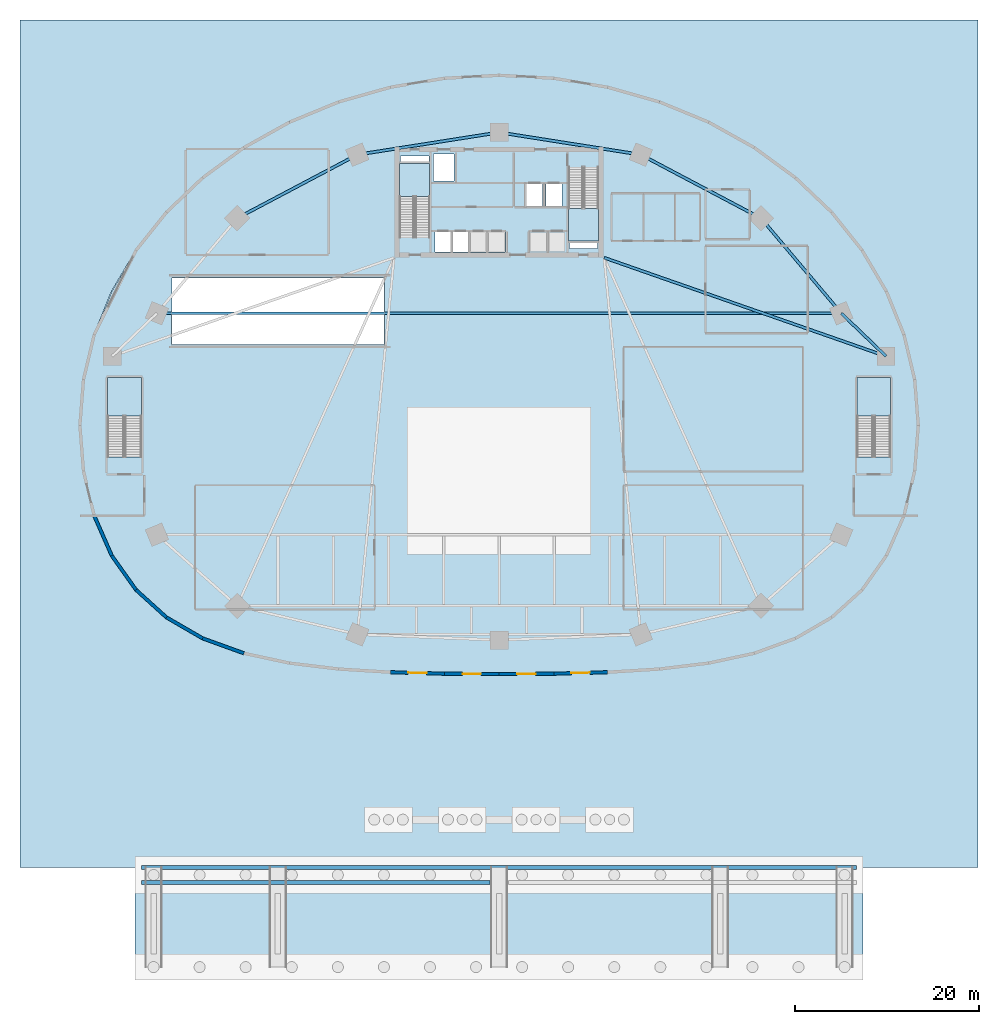
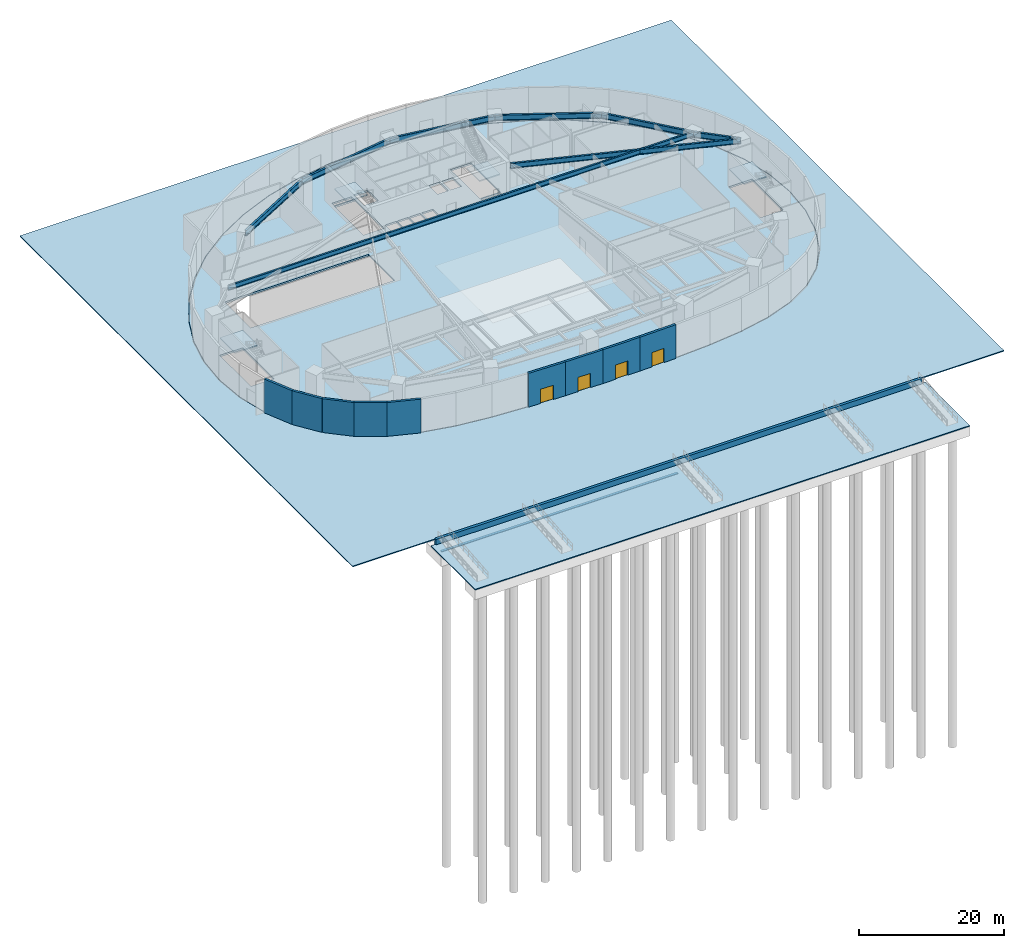
# One storey, part 2 of 14: 11 walls, 8 beams, 7 slabs, 4 doors, 4 openings, 4 elements without a shape of their own.
"""IFC4 building model written with IfcOpenShell, lengths in metres."""

from ifc_helpers import new_model, si_unit, direction, frame, frame_2d, origin, origin_2d, place, context, subcontext, project, spatial, polyline, rectangle, i_section, outline, extrude, source, transform, mapped, material, layer, layer_set, material_profile, profile_set, type_object, type_shapes, element, fill, aggregate, save


model = new_model("IFC4")

# Units and contexts
model_context = context("Model", 3, precision=1e-05, world=origin(), true_north=direction((0.0, 1.0)))
body_context = subcontext(model_context, "Body", "Model", "MODEL_VIEW")
ifc_project = project(units=[si_unit("LENGTHUNIT", "METRE"), si_unit("AREAUNIT", "SQUARE_METRE"), si_unit("VOLUMEUNIT", "CUBIC_METRE"), si_unit("PLANEANGLEUNIT", "RADIAN"), si_unit("MASSUNIT", "GRAM", prefix="KILO")], contexts=[model_context])

# Site, building, storey
site_placement = place(None, origin())
site = spatial("IfcSite", under=ifc_project, at=site_placement, CompositionType="ELEMENT")
building_placement = place(site_placement, origin())
building = spatial("IfcBuilding", under=site, at=building_placement, Name="Breltana Convention Tower", CompositionType="ELEMENT")
storey_placement = place(building_placement, origin())
storey = spatial("IfcBuildingStorey", under=building, at=storey_placement, Name="L00", CompositionType="ELEMENT", Elevation=0.0)

# Beams
ifc_material_1 = material(Name="Steel ASTM A992 Grade 50", Category="steel")
ifc_material_profile_1 = material_profile(ifc_material_1, i_section(OverallWidth=0.304931640625, OverallDepth=0.9189453125, WebThickness=0.017333984375, FlangeThickness=0.02783203125, at=origin_2d()), Name="W36X170")
ifc_profile_set_1 = profile_set([ifc_material_profile_1], Name="Steel ASTM A992 Grade 50")
beam_type_1 = type_object("IfcBeamType", Name="BM-PD-W36X170", PredefinedType="USERDEFINED", material=ifc_profile_set_1)
shared_shape_1 = source(origin(), body_context, "Body", "SweptSolid", [
    extrude(i_section(OverallWidth=0.304931640625, OverallDepth=0.9189453125, WebThickness=0.017333984375, FlangeThickness=0.02783203125, at=origin_2d()), origin(), (0.0, 0.0, 1.0), 6.739501953125),
])
type_shapes(beam_type_1, [shared_shape_1])
beam_1_placement = place(storey_placement, frame((90.0, 49.5, 5.240478515625), z_axis=(-0.721128840463, 0.692800978242, 0.0), x_axis=(-0.692800978242, -0.721128840463, 0.0)))
element("IfcBeam", 1, at=beam_1_placement, inside=storey, type_object=beam_type_1, Name="L00 Podium Ring Girder 01", ObjectType="GIRDER", PredefinedType="USERDEFINED", context=body_context, shape_type="MappedRepresentation", body=[
    mapped(shared_shape_1, transform((0.0, 0.0, 0.0), scale=1.0)),
])
shared_shape_2 = source(origin(), body_context, "Body", "SweptSolid", [
    extrude(i_section(OverallWidth=0.304931640625, OverallDepth=0.9189453125, WebThickness=0.017333984375, FlangeThickness=0.02783203125, at=origin_2d()), origin(), (0.0, 0.0, 1.0), 13.504638671875),
])
beam_2_placement = place(storey_placement, frame((85.139892578125, 54.169189453125, 5.240478515625), z_axis=(-0.645270162831, 0.763954460004, 0.0), x_axis=(-0.763954460004, -0.645270162831, 0.0)))
element("IfcBeam", 2, at=beam_2_placement, inside=storey, type_object=beam_type_1, Name="L00 Podium Ring Girder 02", ObjectType="GIRDER", PredefinedType="USERDEFINED", context=body_context, shape_type="MappedRepresentation", body=[
    mapped(shared_shape_2, transform((0.0, 0.0, 0.0), scale=1.0)),
])
shared_shape_3 = source(origin(), body_context, "Body", "SweptSolid", [
    extrude(i_section(OverallWidth=0.304931640625, OverallDepth=0.9189453125, WebThickness=0.017333984375, FlangeThickness=0.02783203125, at=origin_2d()), origin(), (0.0, 0.0, 1.0), 14.751708984375),
])
for number, where, z_axis, x_axis, name in (
    (3, (76.42578125, 64.486083984375, 5.240478515625), (-0.884103731281, 0.467290693611, 0.0), (-0.467290693611, -0.884103731281, 0.0), "L00 Podium Ring Girder 03"),
    (4, (32.6162109375, 71.37939453125, 5.240478515625), (-0.884103731281, -0.467290693611, 0.0), (0.467290693611, -0.884103731281, 0.0), "L00 Podium Ring Girder 06"),
):
    element("IfcBeam", number, at=place(storey_placement, frame(where, z_axis=z_axis, x_axis=x_axis)), inside=storey, type_object=beam_type_1, Name=name, ObjectType="GIRDER", PredefinedType="USERDEFINED", context=body_context, shape_type="MappedRepresentation", body=[
        mapped(shared_shape_3, transform((0.0, 0.0, 0.0), scale=1.0)),
    ])
shared_shape_4 = source(origin(), body_context, "Body", "SweptSolid", [
    extrude(i_section(OverallWidth=0.304931640625, OverallDepth=0.9189453125, WebThickness=0.017333984375, FlangeThickness=0.02783203125, at=origin_2d()), origin(), (0.0, 0.0, 1.0), 15.572998046875),
])
for number, where, z_axis, x_axis, name in (
    (5, (63.3837890625, 71.37939453125, 5.240478515625), (-0.987845575975, 0.155438470225, 0.0), (-0.155438470225, -0.987845575975, 0.0), "L00 Podium Ring Girder 04"),
    (6, (48.0, 73.800048828125, 5.240478515625), (-0.987845575975, -0.155438470225, 0.0), (0.155438470225, -0.987845575975, 0.0), "L00 Podium Ring Girder 05"),
):
    element("IfcBeam", number, at=place(storey_placement, frame(where, z_axis=z_axis, x_axis=x_axis)), inside=storey, type_object=beam_type_1, Name=name, ObjectType="GIRDER", PredefinedType="USERDEFINED", context=body_context, shape_type="MappedRepresentation", body=[
        mapped(shared_shape_4, transform((0.0, 0.0, 0.0), scale=1.0)),
    ])
ifc_material_profile_2 = material_profile(ifc_material_1, i_section(OverallWidth=0.2919921875, OverallDepth=0.845947265625, WebThickness=0.015380859375, FlangeThickness=0.0244140625, at=origin_2d()), Name="W33X141")
ifc_profile_set_2 = profile_set([ifc_material_profile_2], Name="Steel ASTM A992 Grade 50")
beam_type_2 = type_object("IfcBeamType", Name="BM-PD-W33X141", PredefinedType="USERDEFINED", material=ifc_profile_set_2)
shared_shape_5 = source(origin(), body_context, "Body", "SweptSolid", [
    extrude(i_section(OverallWidth=0.2919921875, OverallDepth=0.845947265625, WebThickness=0.015380859375, FlangeThickness=0.0244140625, at=origin_2d()), origin(), (0.0, 0.0, 1.0), 32.4169921875),
])
type_shapes(beam_type_2, [shared_shape_5])
beam_3_placement = place(storey_placement, frame((90.0, 49.5, 5.277099609375), z_axis=(-0.943955299763, 0.330073313143, 0.0), x_axis=(-0.330073313143, -0.943955299763, 0.0)))
element("IfcBeam", 7, at=beam_3_placement, inside=storey, type_object=beam_type_2, Name="L00 Long-Span Convention Girder 01", ObjectType="GIRDER", PredefinedType="USERDEFINED", context=body_context, shape_type="MappedRepresentation", body=[
    mapped(shared_shape_5, transform((0.0, 0.0, 0.0), scale=1.0)),
])
ifc_material_profile_3 = material_profile(ifc_material_1, i_section(OverallWidth=0.26708984375, OverallDepth=0.761962890625, WebThickness=0.014404296875, FlangeThickness=0.021484375, at=origin_2d()), Name="W30X116")
ifc_profile_set_3 = profile_set([ifc_material_profile_3], Name="Steel ASTM A992 Grade 50")
beam_type_3 = type_object("IfcBeamType", Name="BM-PD-W30X116", PredefinedType="BEAM", material=ifc_profile_set_3)
shared_shape_6 = source(origin(), body_context, "Body", "SweptSolid", [
    extrude(i_section(OverallWidth=0.26708984375, OverallDepth=0.761962890625, WebThickness=0.014404296875, FlangeThickness=0.021484375, at=origin_2d()), origin(), (0.0, 0.0, 1.0), 74.27978515625),
])
type_shapes(beam_type_3, [shared_shape_6])
beam_4_placement = place(storey_placement, frame((10.860107421875, 54.169189453125, 5.319091796875), z_axis=(1.0, 0.0, 0.0), x_axis=(0.0, 1.0, 0.0)))
element("IfcBeam", 8, at=beam_4_placement, inside=storey, type_object=beam_type_3, Name="L00 Long-Span Hall Secondary Beam 04", PredefinedType="BEAM", context=body_context, shape_type="MappedRepresentation", body=[
    mapped(shared_shape_6, transform((0.0, 0.0, 0.0), scale=1.0)),
])

# Slabs
ifc_material_2 = material(Name="Concrete C40/50", Category="concrete")
ifc_layer_1 = layer(ifc_material_2, 0.159912109375, Name="Concrete C40/50")
ifc_layer_set_1 = layer_set([ifc_layer_1], Name="Concrete C40/50")
slab_type_1 = type_object("IfcSlabType", Name="SL-PAVE-160", PredefinedType="USERDEFINED", material=ifc_layer_set_1)
slab_1_placement = place(storey_placement, frame((0.0, 0.0, -0.159912109375)))
element("IfcSlab", 9, at=slab_1_placement, inside=storey, type_object=slab_type_1, Name="L00 Arrival Plaza, Drop-Off and Fire-Access Paving 1", ObjectType="PAVING", PredefinedType="USERDEFINED", context=body_context, shape_type="SweptSolid", body=[
    extrude(outline(polyline([(-4.0, 86.0), (100.0, 86.0), (100.0, -6.0), (-4.0, -6.0), (-4.0, 86.0)]), holes=[polyline([(93.5400390625, 42.0), (93.539794921875, 42.003173828125), (93.150634765625, 46.963134765625), (93.150146484375, 46.96630859375), (93.149658203125, 46.96923828125), (91.988525390625, 51.844482421875), (91.98779296875, 51.847412109375), (91.98681640625, 51.85009765625), (90.073486328125, 56.55712890625), (90.072265625, 56.559814453125), (90.07080078125, 56.562255859375), (87.438720703125, 61.020263671875), (87.435302734375, 61.02490234375), (84.12890625, 65.157958984375), (84.125244140625, 65.161865234375), (80.200927734375, 68.899169921875), (80.197021484375, 68.90234375), (75.72216796875, 72.1796875), (75.718017578125, 72.182373046875), (70.76953125, 74.94384765625), (70.76513671875, 74.946044921875), (65.42724609375, 77.144287109375), (65.423095703125, 77.14599609375), (59.787109375, 78.74365234375), (59.782958984375, 78.74462890625), (53.945556640625, 79.71435546875), (53.941162109375, 79.71484375), (48.002197265625, 80.039794921875), (47.997802734375, 80.039794921875), (42.058837890625, 79.71484375), (42.054443359375, 79.71435546875), (36.217041015625, 78.74462890625), (36.212890625, 78.74365234375), (30.576904296875, 77.14599609375), (30.57275390625, 77.144287109375), (25.23486328125, 74.946044921875), (25.23046875, 74.94384765625), (20.281982421875, 72.182373046875), (20.27783203125, 72.1796875), (15.802978515625, 68.90234375), (15.799072265625, 68.899169921875), (11.874755859375, 65.161865234375), (11.87109375, 65.157958984375), (8.564697265625, 61.02490234375), (8.561279296875, 61.020263671875), (5.92919921875, 56.562255859375), (5.927734375, 56.559814453125), (5.926513671875, 56.55712890625), (4.01318359375, 51.85009765625), (4.01220703125, 51.847412109375), (4.011474609375, 51.844482421875), (2.850341796875, 46.96923828125), (2.849853515625, 46.96630859375), (2.849365234375, 46.963134765625), (2.460205078125, 42.003173828125), (2.4599609375, 42.0), (2.460205078125, 41.996826171875), (2.849365234375, 37.036865234375), (2.849853515625, 37.03369140625), (2.850341796875, 37.03076171875), (4.011474609375, 32.19921875), (4.012451171875, 32.19580078125), (4.013916015625, 32.1923828125), (5.927001953125, 27.838134765625), (5.9287109375, 27.834716796875), (5.930908203125, 27.831298828125), (8.563232421875, 24.121826171875), (8.56591796875, 24.118408203125), (8.569091796875, 24.115234375), (11.87548828125, 21.124267578125), (11.87890625, 21.12158203125), (11.88232421875, 21.119384765625), (15.806396484375, 18.845947265625), (15.809814453125, 18.84423828125), (15.81298828125, 18.843017578125), (20.287841796875, 17.22509765625), (20.29296875, 17.2236328125), (25.24169921875, 16.156982421875), (25.2451171875, 16.15625), (30.5830078125, 15.51318359375), (30.58544921875, 15.512939453125), (36.22119140625, 15.165283203125), (36.22265625, 15.165283203125), (42.06005859375, 15.0048828125), (42.060791015625, 15.0048828125), (47.999755859375, 14.9599609375), (48.000244140625, 14.9599609375), (53.939208984375, 15.0048828125), (53.93994140625, 15.0048828125), (59.77734375, 15.165283203125), (59.77880859375, 15.165283203125), (65.41455078125, 15.512939453125), (65.4169921875, 15.51318359375), (70.7548828125, 16.15625), (70.75830078125, 16.156982421875), (75.70703125, 17.2236328125), (75.712158203125, 17.22509765625), (80.18701171875, 18.843017578125), (80.190185546875, 18.84423828125), (80.193603515625, 18.845947265625), (84.11767578125, 21.119384765625), (84.12109375, 21.12158203125), (84.12451171875, 21.124267578125), (87.430908203125, 24.115234375), (87.43408203125, 24.118408203125), (87.436767578125, 24.121826171875), (90.069091796875, 27.831298828125), (90.0712890625, 27.834716796875), (90.072998046875, 27.838134765625), (91.986083984375, 32.1923828125), (91.987548828125, 32.19580078125), (91.988525390625, 32.19921875), (93.149658203125, 37.03076171875), (93.150146484375, 37.03369140625), (93.150634765625, 37.036865234375), (93.539794921875, 41.996826171875), (93.5400390625, 42.0)])]), origin(), (0.0, 0.0, 1.0), 0.159912109375),
])
slab_2_placement = place(storey_placement, frame((0.0, 0.0, -1.06005859375)))
element("IfcSlab", 10, at=slab_2_placement, inside=storey, type_object=slab_type_1, Name="L00 Sudirman Street Apron Slab", ObjectType="PAVING", PredefinedType="USERDEFINED", context=body_context, shape_type="SweptSolid", body=[
    extrude(outline(polyline([(8.5, -18.199951171875), (87.5, -18.199951171875), (87.5, -6.02001953125), (8.5, -6.02001953125), (8.5, -18.199951171875)])), origin(), (0.0, 0.0, 1.0), 0.16015625),
])
ifc_layer_2 = layer(ifc_material_2, 0.300048828125, Name="Concrete C40/50")
ifc_layer_set_2 = layer_set([ifc_layer_2], Name="Concrete C40/50")
slab_type_2 = type_object("IfcSlabType", Name="SL-POD-300", PredefinedType="FLOOR", material=ifc_layer_set_2)
slab_3_placement = place(storey_placement, frame((0.0, 0.0, -0.300048828125)))
element("IfcSlab", 11, at=slab_3_placement, inside=storey, type_object=slab_type_2, Name="L00 Suspended Structural Floor Slab", PredefinedType="FLOOR", context=body_context, shape_type="SweptSolid", body=[
    extrude(outline(polyline([(93.5, 42.0), (93.110595703125, 46.9599609375), (91.94970703125, 51.835205078125), (90.03662109375, 56.5419921875), (87.404296875, 61.0), (84.09765625, 65.1328125), (80.17333984375, 68.8701171875), (75.698486328125, 72.1474609375), (70.75, 74.908935546875), (65.412109375, 77.107421875), (59.7763671875, 78.705078125), (53.93896484375, 79.6748046875), (48.0, 80.0), (42.06103515625, 79.6748046875), (36.2236328125, 78.705078125), (30.587890625, 77.107421875), (25.25, 74.908935546875), (20.301513671875, 72.1474609375), (15.82666015625, 68.8701171875), (11.90234375, 65.1328125), (8.595703125, 61.0), (5.96337890625, 56.5419921875), (4.05029296875, 51.835205078125), (2.889404296875, 46.9599609375), (2.5, 42.0), (2.889404296875, 37.0400390625), (4.05029296875, 32.20849609375), (5.96337890625, 27.854248046875), (8.595703125, 24.14501953125), (11.90234375, 21.154052734375), (15.82666015625, 18.880615234375), (20.301513671875, 17.2626953125), (25.25, 16.196044921875), (30.587890625, 15.552734375), (36.2236328125, 15.205078125), (42.06103515625, 15.044921875), (48.0, 15.0), (53.93896484375, 15.044921875), (59.7763671875, 15.205078125), (65.412109375, 15.552734375), (70.75, 16.196044921875), (75.698486328125, 17.2626953125), (80.17333984375, 18.880615234375), (84.09765625, 21.154052734375), (87.404296875, 24.14501953125), (90.03662109375, 27.854248046875), (91.94970703125, 32.20849609375), (93.110595703125, 37.0400390625), (93.5, 42.0)]), holes=[polyline([(37.199951171875, 62.385009765625), (40.469970703125, 62.385009765625), (40.469970703125, 70.39990234375), (37.199951171875, 70.39990234375), (37.199951171875, 62.385009765625)]), polyline([(55.530029296875, 62.0), (58.800048828125, 62.0), (58.800048828125, 70.014892578125), (55.530029296875, 70.014892578125), (55.530029296875, 62.0)]), polyline([(5.5, 38.5849609375), (9.169921875, 38.5849609375), (9.169921875, 47.199951171875), (5.5, 47.199951171875), (5.5, 38.5849609375)]), polyline([(86.830078125, 38.5849609375), (90.5, 38.5849609375), (90.5, 47.199951171875), (86.830078125, 47.199951171875), (86.830078125, 38.5849609375)]), polyline([(41.0400390625, 60.800048828125), (42.800048828125, 60.800048828125), (42.800048828125, 62.97998046875), (41.0400390625, 62.97998046875), (41.0400390625, 60.800048828125)]), polyline([(42.93994140625, 60.800048828125), (44.699951171875, 60.800048828125), (44.699951171875, 62.97998046875), (42.93994140625, 62.97998046875), (42.93994140625, 60.800048828125)]), polyline([(44.8701171875, 60.800048828125), (46.6298828125, 60.800048828125), (46.6298828125, 62.97998046875), (44.8701171875, 62.97998046875), (44.8701171875, 60.800048828125)]), polyline([(46.8701171875, 60.800048828125), (48.6298828125, 60.800048828125), (48.6298828125, 62.97998046875), (46.8701171875, 62.97998046875), (46.8701171875, 60.800048828125)]), polyline([(50.969970703125, 65.800048828125), (52.72998046875, 65.800048828125), (52.72998046875, 68.179931640625), (50.969970703125, 68.179931640625), (50.969970703125, 65.800048828125)]), polyline([(53.070068359375, 65.800048828125), (54.830078125, 65.800048828125), (54.830078125, 68.179931640625), (53.070068359375, 68.179931640625), (53.070068359375, 65.800048828125)]), polyline([(40.8798828125, 68.550048828125), (43.1201171875, 68.550048828125), (43.1201171875, 71.449951171875), (40.8798828125, 71.449951171875), (40.8798828125, 68.550048828125)]), polyline([(37.300048828125, 70.60009765625), (40.3798828125, 70.60009765625), (40.3798828125, 71.219970703125), (37.300048828125, 71.219970703125), (37.300048828125, 70.60009765625)]), polyline([(55.6201171875, 61.179931640625), (58.699951171875, 61.179931640625), (58.699951171875, 61.800048828125), (55.6201171875, 61.800048828125), (55.6201171875, 61.179931640625)]), polyline([(12.5, 50.800048828125), (35.5, 50.800048828125), (35.5, 58.0), (12.5, 58.0), (12.5, 50.800048828125)])]), origin(), (0.0, 0.0, 1.0), 0.300048828125),
])

# Stair, slab
stair_type_1 = type_object("IfcStairType", Name="ST-DOG-1560-R176", PredefinedType="HALF_TURN_STAIR", material=ifc_material_2)
stair_1_placement = place(storey_placement, origin())
stair_1 = element("IfcStair", 12, at=stair_1_placement, inside=storey, type_object=stair_type_1, Name="L00 Protected Core Exit Stair ST-1", PredefinedType="HALF_TURN_STAIR")
ifc_layer_3 = layer(ifc_material_2, 0.199951171875, Name="Concrete C40/50")
ifc_layer_set_3 = layer_set([ifc_layer_3], Name="Concrete C40/50")
slab_type_3 = type_object("IfcSlabType", Name="SL-STAIR-LANDING-200", PredefinedType="LANDING", material=ifc_layer_set_3)
slab_4_placement = place(storey_placement, frame((0.0, 0.0, 2.800048828125)))
slab_4 = element("IfcSlab", 13, at=slab_4_placement, type_object=slab_type_3, Name="ST-1 landing 1", PredefinedType="LANDING", context=body_context, shape_type="SweptSolid", body=[
    extrude(outline(polyline([(40.469970703125, 66.840087890625), (40.469970703125, 70.39990234375), (37.199951171875, 70.39990234375), (37.199951171875, 66.840087890625), (40.469970703125, 66.840087890625)])), origin(), (0.0, 0.0, 1.0), 0.199951171875),
])
aggregate(stair_1, [slab_4])

stair_2_placement = place(storey_placement, origin())
stair_2 = element("IfcStair", 14, at=stair_2_placement, inside=storey, type_object=stair_type_1, Name="L00 Protected Core Exit Stair ST-2", PredefinedType="HALF_TURN_STAIR")
slab_5_placement = place(storey_placement, frame((0.0, 0.0, 2.800048828125)))
slab_5 = element("IfcSlab", 15, at=slab_5_placement, type_object=slab_type_3, Name="ST-2 landing 1", PredefinedType="LANDING", context=body_context, shape_type="SweptSolid", body=[
    extrude(outline(polyline([(55.530029296875, 65.56005859375), (55.530029296875, 62.0), (58.800048828125, 62.0), (58.800048828125, 65.56005859375), (55.530029296875, 65.56005859375)])), origin(), (0.0, 0.0, 1.0), 0.199951171875),
])
aggregate(stair_2, [slab_5])

stair_type_2 = type_object("IfcStairType", Name="ST-DOG-1760-R176", PredefinedType="HALF_TURN_STAIR", material=ifc_material_2)
stair_3_placement = place(storey_placement, origin())
stair_3 = element("IfcStair", 16, at=stair_3_placement, inside=storey, type_object=stair_type_2, Name="L00 Protected Podium Exit Stair ST-3", PredefinedType="HALF_TURN_STAIR")
slab_6_placement = place(storey_placement, frame((0.0, 0.0, 2.800048828125)))
slab_6 = element("IfcSlab", 17, at=slab_6_placement, type_object=slab_type_3, Name="ST-3 landing 1", PredefinedType="LANDING", context=body_context, shape_type="SweptSolid", body=[
    extrude(outline(polyline([(9.169921875, 43.0400390625), (9.169921875, 47.199951171875), (5.5, 47.199951171875), (5.5, 43.0400390625), (9.169921875, 43.0400390625)])), origin(), (0.0, 0.0, 1.0), 0.199951171875),
])
aggregate(stair_3, [slab_6])

stair_4_placement = place(storey_placement, origin())
stair_4 = element("IfcStair", 18, at=stair_4_placement, inside=storey, type_object=stair_type_2, Name="L00 Protected Podium Exit Stair ST-4", PredefinedType="HALF_TURN_STAIR")
slab_7_placement = place(storey_placement, frame((0.0, 0.0, 2.800048828125)))
slab_7 = element("IfcSlab", 19, at=slab_7_placement, type_object=slab_type_3, Name="ST-4 landing 1", PredefinedType="LANDING", context=body_context, shape_type="SweptSolid", body=[
    extrude(outline(polyline([(90.5, 43.0400390625), (90.5, 47.199951171875), (86.830078125, 47.199951171875), (86.830078125, 43.0400390625), (90.5, 43.0400390625)])), origin(), (0.0, 0.0, 1.0), 0.199951171875),
])
aggregate(stair_4, [slab_7])

# Walls
ifc_layer_4 = layer(ifc_material_2, 0.419921875, Name="Concrete C40/50")
ifc_layer_set_4 = layer_set([ifc_layer_4], Name="Concrete C40/50")
wall_type_1 = type_object("IfcWallType", Name="SW-BASE-420", PredefinedType="USERDEFINED", material=ifc_layer_set_4)
shared_shape_7 = source(origin(), body_context, "Body", "SweptSolid", [
    extrude(rectangle(XDim=77.60009765625, YDim=0.419921875, at=frame_2d((38.800048828125, 0.0))), origin(), (0.0, 0.0, 1.0), 1.199951171875),
])
type_shapes(wall_type_1, [shared_shape_7])
wall_1_placement = place(storey_placement, frame((9.199951171875, -6.0, -1.199951171875), z_axis=(0.0, 0.0, 1.0), x_axis=(1.0, 0.0, 0.0)))
element("IfcWall", 20, at=wall_1_placement, inside=storey, type_object=wall_type_1, Name="L00 South Plaza Threshold Retaining Wall", ObjectType="RETAININGWALL", PredefinedType="USERDEFINED", context=body_context, shape_type="MappedRepresentation", body=[
    mapped(shared_shape_7, transform((0.0, 0.0, 0.0), scale=1.0)),
])
shared_shape_8 = source(origin(), body_context, "Body", "SweptSolid", [
    extrude(rectangle(XDim=37.800048828125, YDim=0.419921875, at=frame_2d((18.89990234375, 0.0))), origin(), (0.0, 0.0, 1.0), 0.139892578125),
])
wall_2_placement = place(storey_placement, frame((9.199951171875, -7.60009765625, -1.199951171875), z_axis=(0.0, 0.0, 1.0), x_axis=(1.0, 0.0, 0.0)))
element("IfcWall", 21, at=wall_2_placement, inside=storey, type_object=wall_type_1, Name="L00 Street Apron North-West Bearing Wall", ObjectType="RETAININGWALL", PredefinedType="USERDEFINED", context=body_context, shape_type="MappedRepresentation", body=[
    mapped(shared_shape_8, transform((0.0, 0.0, 0.0), scale=1.0)),
])
ifc_material_3 = material(Name="Limestone Buff Insulated Wall", Category="masonry")
ifc_layer_5 = layer(ifc_material_3, 0.35009765625, Name="Limestone Buff Insulated Wall")
ifc_layer_set_5 = layer_set([ifc_layer_5], Name="Limestone Buff Insulated Wall")
wall_type_2 = type_object("IfcWallType", Name="WL-EXT-POD-350", PredefinedType="SOLIDWALL", material=ifc_layer_set_5)
shared_shape_9 = source(origin(), body_context, "Body", "SweptSolid", [
    extrude(rectangle(XDim=4.756103515625, YDim=0.35009765625, at=frame_2d((2.3779296875, 0.0))), origin(), (0.0, 0.0, 1.0), 5.699951171875),
])
wall_3_placement = place(storey_placement, frame((5.96337890625, 27.854248046875, 0.0), z_axis=(0.0, 0.0, 1.0), x_axis=(-0.402248274654, 0.915530625123, 0.0)))
element("IfcWall", 22, at=wall_3_placement, inside=storey, type_object=wall_type_2, Name="L00 limestone facade wall 27", PredefinedType="SOLIDWALL", context=body_context, shape_type="MappedRepresentation", body=[
    mapped(shared_shape_9, transform((0.0, 0.0, 0.0), scale=1.0)),
])
shared_shape_10 = source(origin(), body_context, "Body", "SweptSolid", [
    extrude(rectangle(XDim=4.54833984375, YDim=0.35009765625, at=frame_2d((2.274169921875, 0.0))), origin(), (0.0, 0.0, 1.0), 5.699951171875),
])
wall_4_placement = place(storey_placement, frame((8.595703125, 24.14501953125, 0.0), z_axis=(0.0, 0.0, 1.0), x_axis=(-0.578742399763, 0.815510413616, 0.0)))
element("IfcWall", 23, at=wall_4_placement, inside=storey, type_object=wall_type_2, Name="L00 limestone facade wall 28", PredefinedType="SOLIDWALL", context=body_context, shape_type="MappedRepresentation", body=[
    mapped(shared_shape_10, transform((0.0, 0.0, 0.0), scale=1.0)),
])
shared_shape_11 = source(origin(), body_context, "Body", "SweptSolid", [
    extrude(rectangle(XDim=4.458740234375, YDim=0.35009765625, at=frame_2d((2.2294921875, 0.0))), origin(), (0.0, 0.0, 1.0), 5.699951171875),
])
wall_5_placement = place(storey_placement, frame((11.90234375, 21.154052734375, 0.0), z_axis=(0.0, 0.0, 1.0), x_axis=(-0.741620092595, 0.670820123625, 0.0)))
element("IfcWall", 24, at=wall_5_placement, inside=storey, type_object=wall_type_2, Name="L00 limestone facade wall 29", PredefinedType="SOLIDWALL", context=body_context, shape_type="MappedRepresentation", body=[
    mapped(shared_shape_11, transform((0.0, 0.0, 0.0), scale=1.0)),
])
shared_shape_12 = source(origin(), body_context, "Body", "SweptSolid", [
    extrude(rectangle(XDim=4.535400390625, YDim=0.35009765625, at=frame_2d((2.267578125, 0.0))), origin(), (0.0, 0.0, 1.0), 5.699951171875),
])
wall_6_placement = place(storey_placement, frame((15.82666015625, 18.880615234375, 0.0), z_axis=(0.0, 0.0, 1.0), x_axis=(-0.86528620064, 0.501278157295, 0.0)))
element("IfcWall", 25, at=wall_6_placement, inside=storey, type_object=wall_type_2, Name="L00 limestone facade wall 30", PredefinedType="SOLIDWALL", context=body_context, shape_type="MappedRepresentation", body=[
    mapped(shared_shape_12, transform((0.0, 0.0, 0.0), scale=1.0)),
])
shared_shape_13 = source(origin(), body_context, "Body", "SweptSolid", [
    extrude(rectangle(XDim=4.75830078125, YDim=0.35009765625, at=frame_2d((2.379150390625, 0.0))), origin(), (0.0, 0.0, 1.0), 5.699951171875),
])
wall_7_placement = place(storey_placement, frame((20.301513671875, 17.2626953125, 0.0), z_axis=(0.0, 0.0, 1.0), x_axis=(-0.940419515454, 0.340016374538, 0.0)))
element("IfcWall", 26, at=wall_7_placement, inside=storey, type_object=wall_type_2, Name="L00 limestone facade wall 31", PredefinedType="SOLIDWALL", context=body_context, shape_type="MappedRepresentation", body=[
    mapped(shared_shape_13, transform((0.0, 0.0, 0.0), scale=1.0)),
])

# Wall, opening, door
shared_shape_14 = source(origin(), body_context, "Body", "SweptSolid", [
    extrude(rectangle(XDim=5.839599609375, YDim=0.35009765625, at=frame_2d((2.919921875, 0.0))), origin(), (0.0, 0.0, 1.0), 5.699951171875),
])
wall_8_placement = place(storey_placement, frame((42.06103515625, 15.044921875, 0.0), z_axis=(0.0, 0.0, 1.0), x_axis=(-0.999623839291, 0.027425898728, 0.0)))
wall_8 = element("IfcWall", 27, at=wall_8_placement, inside=storey, type_object=wall_type_2, Name="L00 limestone facade wall 35", PredefinedType="SOLIDWALL", context=body_context, shape_type="MappedRepresentation", body=[
    mapped(shared_shape_14, transform((0.0, 0.0, 0.0), scale=1.0)),
])
opening_1_placement = place(wall_8_placement, frame((1.919921875, 0.0, 0.0)))
opening_1 = element("IfcOpeningElement", 28, at=opening_1_placement, cuts=wall_8, Name="Opening ED-01", PredefinedType="OPENING", context=body_context, shape_type="SweptSolid", body=[
    extrude(rectangle(XDim=2.0, YDim=2.39990234375, at=frame_2d((1.0, 1.199951171875))), frame((0.0, 0.18505859375, 0.0), z_axis=(0.0, -1.0, 0.0), x_axis=(1.0, 0.0, 0.0)), (0.0, 0.0, 1.0), 0.3701171875),
])
ifc_material_4 = material(Name="Aluminium Bronze Glazed Door", Category="aluminium")
door_type = type_object("IfcDoorType", Name="DR-EXT-DBL-2000", OperationType="DOUBLE_DOOR_SINGLE_SWING", PredefinedType="DOOR", material=ifc_material_4)
shared_shape_15 = source(origin(), body_context, "Body", "SweptSolid", [
    extrude(rectangle(XDim=2.0, YDim=2.39990234375, at=frame_2d((1.0, 1.199951171875))), frame((0.0, 0.02490234375, 0.0), z_axis=(0.0, -1.0, 0.0), x_axis=(1.0, 0.0, 0.0)), (0.0, 0.0, 1.0), 0.050048828125),
])
type_shapes(door_type, [shared_shape_15])
door_1_placement = place(opening_1_placement, origin())
door_1 = element("IfcDoor", 29, at=door_1_placement, inside=storey, type_object=door_type, Name="Ground arrival concourse exterior double exit door 5", OperationType="DOUBLE_DOOR_SINGLE_SWING", OverallHeight=2.39990234375, OverallWidth=2.0, PredefinedType="DOOR", context=body_context, shape_type="MappedRepresentation", body=[
    mapped(shared_shape_15, transform((0.0, 0.0, 0.0), scale=1.0)),
])
fill(opening_1, door_1)

wall_9_placement = place(storey_placement, frame((59.7763671875, 15.205078125, 0.0), z_axis=(0.0, 0.0, 1.0), x_axis=(-0.999623839291, -0.027425898728, 0.0)))
wall_9 = element("IfcWall", 30, at=wall_9_placement, inside=storey, type_object=wall_type_2, Name="L00 limestone facade wall 38", PredefinedType="SOLIDWALL", context=body_context, shape_type="MappedRepresentation", body=[
    mapped(shared_shape_14, transform((0.0, 0.0, 0.0), scale=1.0)),
])
opening_2_placement = place(wall_9_placement, frame((1.919921875, 0.0, 0.0)))
opening_2 = element("IfcOpeningElement", 31, at=opening_2_placement, cuts=wall_9, Name="Opening ED-01", PredefinedType="OPENING", context=body_context, shape_type="SweptSolid", body=[
    extrude(rectangle(XDim=2.0, YDim=2.39990234375, at=frame_2d((1.0, 1.199951171875))), frame((0.0, 0.18505859375, 0.0), z_axis=(0.0, -1.0, 0.0), x_axis=(1.0, 0.0, 0.0)), (0.0, 0.0, 1.0), 0.3701171875),
])
door_2_placement = place(opening_2_placement, origin())
door_2 = element("IfcDoor", 32, at=door_2_placement, inside=storey, type_object=door_type, Name="Ground arrival concourse exterior double exit door 8", OperationType="DOUBLE_DOOR_SINGLE_SWING", OverallHeight=2.39990234375, OverallWidth=2.0, PredefinedType="DOOR", context=body_context, shape_type="MappedRepresentation", body=[
    mapped(shared_shape_15, transform((0.0, 0.0, 0.0), scale=1.0)),
])
fill(opening_2, door_2)

shared_shape_16 = source(origin(), body_context, "Body", "SweptSolid", [
    extrude(rectangle(XDim=5.939208984375, YDim=0.35009765625, at=frame_2d((2.9697265625, 0.0))), origin(), (0.0, 0.0, 1.0), 5.699951171875),
])
wall_10_placement = place(storey_placement, frame((48.0, 15.0, 0.0), z_axis=(0.0, 0.0, 1.0), x_axis=(-0.999971394759, 0.007563707006, 0.0)))
wall_10 = element("IfcWall", 33, at=wall_10_placement, inside=storey, type_object=wall_type_2, Name="L00 limestone facade wall 36", PredefinedType="SOLIDWALL", context=body_context, shape_type="MappedRepresentation", body=[
    mapped(shared_shape_16, transform((0.0, 0.0, 0.0), scale=1.0)),
])
opening_3_placement = place(wall_10_placement, frame((1.969482421875, 0.0, 0.0)))
opening_3 = element("IfcOpeningElement", 34, at=opening_3_placement, cuts=wall_10, Name="Opening ED-01", PredefinedType="OPENING", context=body_context, shape_type="SweptSolid", body=[
    extrude(rectangle(XDim=2.0, YDim=2.39990234375, at=frame_2d((1.0, 1.199951171875))), frame((0.0, 0.18505859375, 0.0), z_axis=(0.0, -1.0, 0.0), x_axis=(1.0, 0.0, 0.0)), (0.0, 0.0, 1.0), 0.3701171875),
])
door_3_placement = place(opening_3_placement, origin())
door_3 = element("IfcDoor", 35, at=door_3_placement, inside=storey, type_object=door_type, Name="Ground arrival concourse exterior double exit door 6", OperationType="DOUBLE_DOOR_SINGLE_SWING", OverallHeight=2.39990234375, OverallWidth=2.0, PredefinedType="DOOR", context=body_context, shape_type="MappedRepresentation", body=[
    mapped(shared_shape_15, transform((0.0, 0.0, 0.0), scale=1.0)),
])
fill(opening_3, door_3)

wall_11_placement = place(storey_placement, frame((53.93896484375, 15.044921875, 0.0), z_axis=(0.0, 0.0, 1.0), x_axis=(-0.999971394759, -0.007563707006, 0.0)))
wall_11 = element("IfcWall", 36, at=wall_11_placement, inside=storey, type_object=wall_type_2, Name="L00 limestone facade wall 37", PredefinedType="SOLIDWALL", context=body_context, shape_type="MappedRepresentation", body=[
    mapped(shared_shape_16, transform((0.0, 0.0, 0.0), scale=1.0)),
])
opening_4_placement = place(wall_11_placement, frame((1.969482421875, 0.0, 0.0)))
opening_4 = element("IfcOpeningElement", 37, at=opening_4_placement, cuts=wall_11, Name="Opening ED-01", PredefinedType="OPENING", context=body_context, shape_type="SweptSolid", body=[
    extrude(rectangle(XDim=2.0, YDim=2.39990234375, at=frame_2d((1.0, 1.199951171875))), frame((0.0, 0.18505859375, 0.0), z_axis=(0.0, -1.0, 0.0), x_axis=(1.0, 0.0, 0.0)), (0.0, 0.0, 1.0), 0.3701171875),
])
door_4_placement = place(opening_4_placement, origin())
door_4 = element("IfcDoor", 38, at=door_4_placement, inside=storey, type_object=door_type, Name="Ground arrival concourse exterior double exit door 7", OperationType="DOUBLE_DOOR_SINGLE_SWING", OverallHeight=2.39990234375, OverallWidth=2.0, PredefinedType="DOOR", context=body_context, shape_type="MappedRepresentation", body=[
    mapped(shared_shape_15, transform((0.0, 0.0, 0.0), scale=1.0)),
])
fill(opening_4, door_4)

save(model, "model.ifc")
